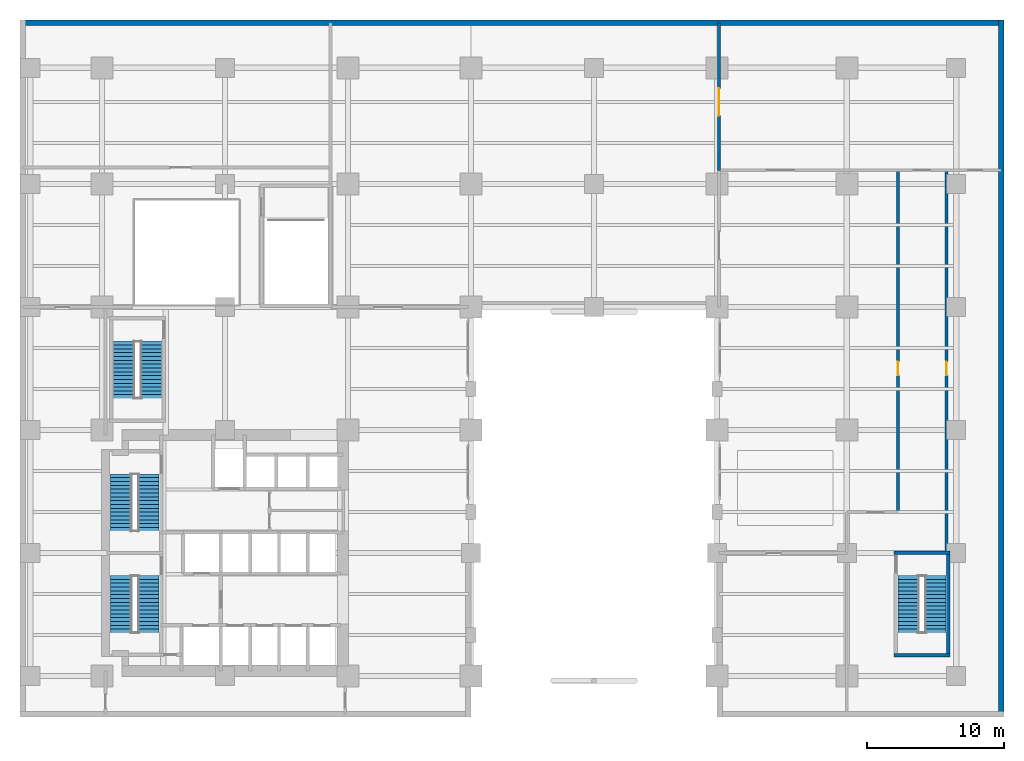
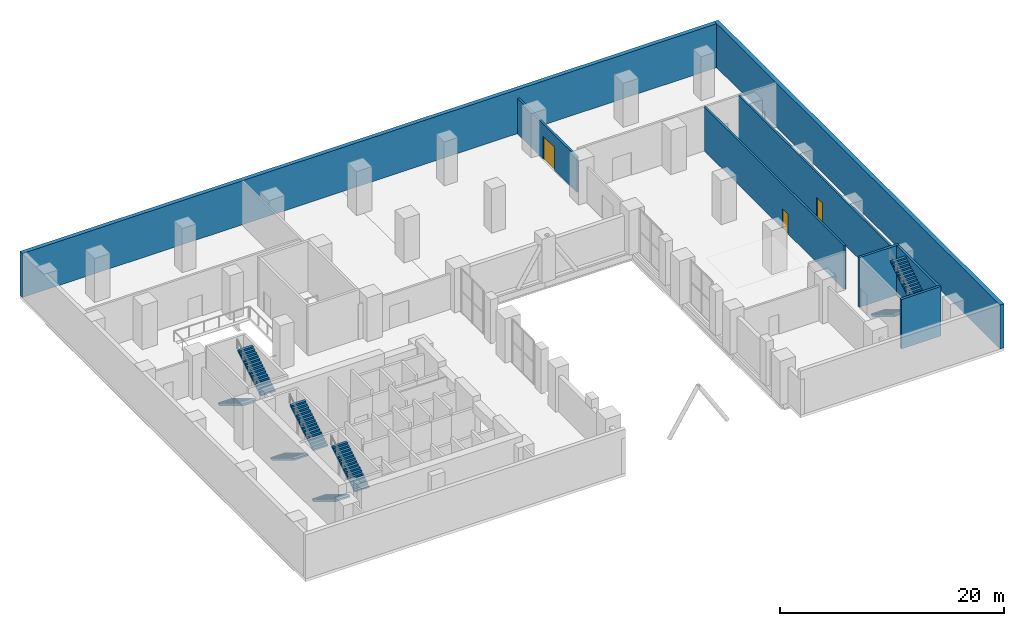
# One storey, part 11 of 13: 8 stair flights, 8 walls, 3 doors, 3 openings, 4 elements without a shape of their own.
"""IFC4 building model written with IfcOpenShell, lengths in metres."""

import ifcopenshell
import ifcopenshell.guid

model = None  # the IFC model being written
_history = None  # IfcOwnerHistory: only IFC2X3 demands one
_inside = {}  # id of a spatial element -> (the spatial element, [elements in it])
_under = {}  # id of a project, library or spatial element -> (it, [spatial elements below it])
_declared = {}  # id of a project -> (the project, [libraries it declares])
_typed = {}  # id of a type object -> (the type object, [elements of that type])
_made_of = {}  # id of a material, layer set ... -> (it, [elements and type objects made of it])


def new_model(schema):
    """Start an empty IFC model of exactly this schema.

    Asked for "IFC4X3", IfcOpenShell would pick the latest addendum, in which some entities
    have other attributes; the version numbers below select the first issue.
    IFC2X3 requires an IfcOwnerHistory on every rooted entity: one is made here for all.
    """
    global model, _history
    if schema == "IFC4X3":
        model = ifcopenshell.file(schema_version=(4, 3, 0, 0))
    else:
        model = ifcopenshell.file(schema=schema)
    _inside.clear()
    _under.clear()
    _declared.clear()
    _typed.clear()
    _made_of.clear()
    _history = None
    if model.schema == "IFC2X3":
        org = make("IfcOrganization", Name="unknown")
        user = make(
            "IfcPersonAndOrganization",
            ThePerson=make("IfcPerson", FamilyName="unknown"),
            TheOrganization=org,
        )
        app = make(
            "IfcApplication",
            ApplicationDeveloper=org,
            Version="unknown",
            ApplicationFullName="unknown",
            ApplicationIdentifier="unknown",
        )
        _history = make(
            "IfcOwnerHistory",
            OwningUser=user,
            OwningApplication=app,
            ChangeAction="ADDED",
            CreationDate=0,
        )
    return model


def make(cls, **values):
    """One entity of the class cls with the attributes given. An attribute that is None is left unset."""
    return model.create_entity(
        cls, **{name: value for name, value in values.items() if value is not None}
    )


def rooted(cls, **values):
    """An entity with a GlobalId (a new one), such as an element, a storey or a relation."""
    return make(cls, GlobalId=ifcopenshell.guid.new(), OwnerHistory=_history, **values)


def si_unit(unit_type, name, prefix=None):
    """IfcSIUnit, for example si_unit("LENGTHUNIT", "METRE", prefix="MILLI")."""
    return make("IfcSIUnit", UnitType=unit_type, Prefix=prefix, Name=name)


def assignment(units):
    """IfcUnitAssignment: the units of a project."""
    return None if units is None else make("IfcUnitAssignment", Units=units)


def point(xyz):
    """IfcCartesianPoint."""
    return None if xyz is None else make("IfcCartesianPoint", Coordinates=xyz)


def direction(xyz):
    """IfcDirection."""
    return None if xyz is None else make("IfcDirection", DirectionRatios=xyz)


def frame(location, z_axis=None, x_axis=None):
    """IfcAxis2Placement3D, a coordinate frame: its origin and axes. An axis left out is left unset."""
    return make(
        "IfcAxis2Placement3D",
        Location=point(location),
        Axis=direction(z_axis),
        RefDirection=direction(x_axis),
    )


def frame_2d(location, x_axis=None):
    """IfcAxis2Placement2D, a coordinate frame in the plane: its origin and x axis."""
    return make(
        "IfcAxis2Placement2D", Location=point(location), RefDirection=direction(x_axis)
    )


def origin():
    """The frame at (0, 0, 0) with its axes left unset."""
    return frame((0.0, 0.0, 0.0))


def place(relative_to, where):
    """IfcLocalPlacement: puts the frame where relative to a parent placement (None: the world)."""
    return make(
        "IfcLocalPlacement", PlacementRelTo=relative_to, RelativePlacement=where
    )


def context(
    kind, dimensions, precision=None, world=None, true_north=None, identifier=None
):
    """IfcGeometricRepresentationContext, for example the 3D "Model" context."""
    return make(
        "IfcGeometricRepresentationContext",
        ContextIdentifier=identifier,
        ContextType=kind,
        CoordinateSpaceDimension=dimensions,
        Precision=precision,
        WorldCoordinateSystem=world,
        TrueNorth=true_north,
    )


def subcontext(parent, identifier, kind, view, scale=None):
    """IfcGeometricRepresentationSubContext, for example "Body" below "Model"."""
    return make(
        "IfcGeometricRepresentationSubContext",
        ContextIdentifier=identifier,
        ContextType=kind,
        ParentContext=parent,
        TargetScale=scale,
        TargetView=view,
    )


def project(units=None, contexts=None):
    """IfcProject with its units and contexts."""
    return rooted(
        "IfcProject",
        Name="project",
        RepresentationContexts=contexts,
        UnitsInContext=assignment(units),
    )


def spatial(cls, under=None, at=None, **own):
    """A site, building, storey or space (cls), placed at a placement, below another one or the project."""
    s = rooted(cls, ObjectPlacement=at, **own)
    if under is not None:
        _under.setdefault(under.id(), (under, []))[1].append(s)
    return s


def polyline(points):
    """IfcPolyline through the points."""
    return make("IfcPolyline", Points=[point(p) for p in points])


def profile(cls, at=None, kind="AREA", **sizes):
    """A parametric profile (cls). Its sizes go by their IFC names, for example OverallWidth=200.0."""
    return make(cls, ProfileType=kind, Position=at, **sizes)


def rectangle(**sizes):
    """IfcRectangleProfileDef."""
    return profile("IfcRectangleProfileDef", **sizes)


def outline(outer, holes=None, kind="AREA"):
    """IfcArbitraryClosedProfileDef: a profile drawn as a closed curve; with holes, ...WithVoids."""
    if holes is None:
        return make("IfcArbitraryClosedProfileDef", ProfileType=kind, OuterCurve=outer)
    return make(
        "IfcArbitraryProfileDefWithVoids",
        ProfileType=kind,
        OuterCurve=outer,
        InnerCurves=holes,
    )


def extrude(swept, where, along, depth):
    """IfcExtrudedAreaSolid: the profile swept, set in the frame where, extruded along a direction by depth."""
    return make(
        "IfcExtrudedAreaSolid",
        SweptArea=swept,
        Position=where,
        ExtrudedDirection=direction(along),
        Depth=depth,
    )


def shape(context_of_items, identifier, shape_type, items):
    """IfcShapeRepresentation: the items that make up one representation, for example the "Body"."""
    return make(
        "IfcShapeRepresentation",
        ContextOfItems=context_of_items,
        RepresentationIdentifier=identifier,
        RepresentationType=shape_type,
        Items=items,
    )


def material(Name=None, Category=None):
    """IfcMaterial."""
    return make("IfcMaterial", Name=Name, Category=Category)


def layer(
    of_material, thickness, ventilated=None, Name=None, Category=None, Priority=None
):
    """IfcMaterialLayer: one layer of a wall or slab, of a material (None: an air gap)."""
    return make(
        "IfcMaterialLayer",
        Material=of_material,
        LayerThickness=thickness,
        IsVentilated=ventilated,
        Name=Name,
        Category=Category,
        Priority=Priority,
    )


def layer_set(layers, Name=None):
    """IfcMaterialLayerSet."""
    return make("IfcMaterialLayerSet", MaterialLayers=layers, LayerSetName=Name)


def made_of(thing, what):
    """Note that an element or type object is made of a material, layer set ...; save() writes the relation."""
    if what is not None:
        _made_of.setdefault(what.id(), (what, []))[1].append(thing)
    return thing


def type_object(cls, material=None, **own):
    """A type object (cls), such as IfcWallType, which elements share."""
    return made_of(rooted(cls, **own), material)


def element(
    cls,
    number,
    at=None,
    inside=None,
    cuts=None,
    type_object=None,
    material=None,
    context=None,
    identifier="Body",
    shape_type=None,
    held_by="IfcProductDefinitionShape",
    body=None,
    shapes=None,
    **own,
):
    """One element of the class cls, such as IfcWall. Its Tag is "e" and its number.

    at: its placement. inside: the storey or other place that contains it. cuts: it is an
    opening in that element (IfcRelVoidsElement). A single representation is given by context,
    identifier, shape_type and body (its items); several are given by shapes. held_by: the class
    of the entity that holds the representations. save() writes the other relations.
    """
    e = rooted(cls, Tag="e%d" % number, ObjectPlacement=at, **own)
    if body is not None:
        shapes = [shape(context, identifier, shape_type, body)]
    if shapes is not None:
        e.Representation = make(held_by, Representations=shapes)
    if inside is not None:
        _inside.setdefault(inside.id(), (inside, []))[1].append(e)
    if cuts is not None:
        rooted(
            "IfcRelVoidsElement", RelatingBuildingElement=cuts, RelatedOpeningElement=e
        )
    if type_object is not None:
        _typed.setdefault(type_object.id(), (type_object, []))[1].append(e)
    return made_of(e, material)


def fill(opening, filler):
    """IfcRelFillsElement: the door or window that sits in an opening."""
    return rooted(
        "IfcRelFillsElement",
        RelatingOpeningElement=opening,
        RelatedBuildingElement=filler,
    )


def aggregate(whole, parts):
    """IfcRelAggregates: a whole, such as a stair, and the parts it consists of."""
    return rooted("IfcRelAggregates", RelatingObject=whole, RelatedObjects=parts)


def save(model, path):
    """Write the relations noted so far, then the file.

    IfcRelAggregates (storeys below a building ...), IfcRelContainedInSpatialStructure (elements
    in a storey), IfcRelDefinesByType, IfcRelAssociatesMaterial and IfcRelDeclares: one each for
    every whole, place, type object, material and project.
    """
    for whole, parts in _under.values():
        aggregate(whole, parts)
    for where, things in _inside.values():
        rooted(
            "IfcRelContainedInSpatialStructure",
            RelatedElements=things,
            RelatingStructure=where,
        )
    for kind, things in _typed.values():
        rooted("IfcRelDefinesByType", RelatedObjects=things, RelatingType=kind)
    for what, things in _made_of.values():
        rooted("IfcRelAssociatesMaterial", RelatedObjects=things, RelatingMaterial=what)
    for by, libraries in _declared.values():
        rooted("IfcRelDeclares", RelatingContext=by, RelatedDefinitions=libraries)
    model.write(path)


model = new_model("IFC4")

# Units and contexts
model_context = context("Model", 3, precision=1e-05, world=origin(), true_north=direction((0.0, 1.0)))
body_context = subcontext(model_context, "Body", "Model", "MODEL_VIEW")
ifc_project = project(units=[si_unit("LENGTHUNIT", "METRE"), si_unit("AREAUNIT", "SQUARE_METRE"), si_unit("VOLUMEUNIT", "CUBIC_METRE"), si_unit("PLANEANGLEUNIT", "RADIAN"), si_unit("MASSUNIT", "GRAM", prefix="KILO")], contexts=[model_context])

# Site, building, storey
site_placement = place(None, origin())
site = spatial("IfcSite", under=ifc_project, at=site_placement, CompositionType="ELEMENT")
building_placement = place(site_placement, origin())
building = spatial("IfcBuilding", under=site, at=building_placement, Name="Mawjdan Bourse Tower", CompositionType="ELEMENT")
storey_placement = place(building_placement, frame((0.0, 0.0, 10.800048828125)))
storey = spatial("IfcBuildingStorey", under=building, at=storey_placement, Name="L02", CompositionType="ELEMENT", Elevation=10.800048828125)

# Walls
ifc_material_1 = material(Name="Brick Masonry Buff", Category="masonry")
ifc_layer_1 = layer(ifc_material_1, 0.419921875)
ifc_layer_set_1 = layer_set([ifc_layer_1], Name="Brick Masonry Buff")
wall_type_1 = type_object("IfcWallType", Name="WL-BRK-BUFF-420", PredefinedType="STANDARD", material=ifc_layer_set_1)
wall_1_placement = place(storey_placement, frame((71.7900390625, 0.0, 0.0), z_axis=(0.0, 0.0, 1.0), x_axis=(0.0, 1.0, 0.0)))
element("IfcWall", 1, at=wall_1_placement, inside=storey, type_object=wall_type_1, Name="L02 Podium Brick Wall EAST", PredefinedType="STANDARD", context=body_context, shape_type="SweptSolid", body=[
    extrude(rectangle(XDim=51.0, YDim=0.419921875, at=frame_2d((25.5, 0.0))), origin(), (0.0, 0.0, 1.0), 4.800048828125),
])
wall_2_placement = place(storey_placement, frame((72.0, 50.7900390625, 0.0), z_axis=(0.0, 0.0, 1.0), x_axis=(-1.0, 0.0, 0.0)))
element("IfcWall", 2, at=wall_2_placement, inside=storey, type_object=wall_type_1, Name="L02 Podium Brick Wall NE-1", PredefinedType="STANDARD", context=body_context, shape_type="SweptSolid", body=[
    extrude(rectangle(XDim=72.0, YDim=0.419921875, at=frame_2d((36.0, 0.0))), origin(), (0.0, 0.0, 1.0), 4.800048828125),
])

# Wall, opening, door
ifc_material_2 = material(Name="Gypsum Fireboard Assembly")
ifc_layer_2 = layer(ifc_material_2, 0.199951171875)
ifc_layer_set_2 = layer_set([ifc_layer_2], Name="Gypsum Fireboard Assembly")
wall_type_2 = type_object("IfcWallType", Name="WL-CMP-200", PredefinedType="PARTITIONING", material=ifc_layer_set_2)
wall_3_placement = place(storey_placement, frame((51.14990234375, 40.0, 0.0), z_axis=(0.0, 0.0, 1.0), x_axis=(0.0, 1.0, 0.0)))
wall_3 = element("IfcWall", 3, at=wall_3_placement, inside=storey, type_object=wall_type_2, Name="L02 L02 East Bridge Portal Wall", PredefinedType="PARTITIONING", context=body_context, shape_type="SweptSolid", body=[
    extrude(rectangle(XDim=10.7900390625, YDim=0.199951171875, at=frame_2d((5.39501953125, 0.0))), origin(), (0.0, 0.0, 1.0), 3.849853515625),
])
opening_1_placement = place(wall_3_placement, frame((4.0, 0.0, 0.0)))
opening_1 = element("IfcOpeningElement", 4, at=opening_1_placement, cuts=wall_3, Name="Opening D-L02-25", PredefinedType="OPENING", context=body_context, shape_type="SweptSolid", body=[
    extrude(rectangle(XDim=2.0, YDim=2.5, at=frame_2d((1.0, 1.25))), frame((0.0, 0.10986328125, 0.0), z_axis=(0.0, -1.0, 0.0), x_axis=(1.0, 0.0, 0.0)), (0.0, 0.0, 1.0), 0.219970703125),
])
ifc_material_3 = material(Name="Acoustic Veneered Timber", Category="wood")
door_type_1 = type_object("IfcDoorType", Name="DR-ASM-2000", OperationType="DOUBLE_DOOR_SINGLE_SWING", PredefinedType="DOOR", material=ifc_material_3)
door_1_placement = place(opening_1_placement, origin())
door_1 = element("IfcDoor", 5, at=door_1_placement, inside=storey, type_object=door_type_1, Name="L02 East Gallery Bridge Door D-L02-25", OperationType="DOUBLE_DOOR_SINGLE_SWING", OverallHeight=2.5, OverallWidth=2.0, PredefinedType="DOOR", context=body_context, shape_type="SweptSolid", body=[
    extrude(rectangle(XDim=2.0, YDim=2.5, at=frame_2d((1.0, 1.25))), frame((0.0, 0.02490234375, 0.0), z_axis=(0.0, -1.0, 0.0), x_axis=(1.0, 0.0, 0.0)), (0.0, 0.0, 1.0), 0.050048828125),
])
fill(opening_1, door_1)

wall_4_placement = place(storey_placement, frame((64.25, 15.0, 0.0), z_axis=(0.0, 0.0, 1.0), x_axis=(0.0, 1.0, 0.0)))
wall_4 = element("IfcWall", 6, at=wall_4_placement, inside=storey, type_object=wall_type_2, Name="L02 ST6 Corridor West Wall", PredefinedType="PARTITIONING", context=body_context, shape_type="SweptSolid", body=[
    extrude(rectangle(XDim=25.0, YDim=0.199951171875, at=frame_2d((12.5, 0.0))), origin(), (0.0, 0.0, 1.0), 4.7900390625),
])
opening_2_placement = place(wall_4_placement, frame((10.0, 0.0, 0.0)))
opening_2 = element("IfcOpeningElement", 7, at=opening_2_placement, cuts=wall_4, Name="Opening D-L02-30", PredefinedType="OPENING", context=body_context, shape_type="SweptSolid", body=[
    extrude(rectangle(XDim=1.0, YDim=2.14990234375, at=frame_2d((0.5, 1.074951171875))), frame((0.0, 0.10986328125, 0.0), z_axis=(0.0, -1.0, 0.0), x_axis=(1.0, 0.0, 0.0)), (0.0, 0.0, 1.0), 0.219970703125),
])
ifc_material_4 = material(Name="Hardwood Acoustic Leaf", Category="wood")
door_type_2 = type_object("IfcDoorType", Name="DR-OFC-1000", OperationType="NOTDEFINED", PredefinedType="DOOR", material=ifc_material_4)
door_2_placement = place(opening_2_placement, origin())
door_2 = element("IfcDoor", 8, at=door_2_placement, inside=storey, type_object=door_type_2, Name="L02 Seminar Hall East Corridor Door D-L02-30", OperationType="SINGLE_SWING_RIGHT", OverallHeight=2.14990234375, OverallWidth=1.0, PredefinedType="DOOR", context=body_context, shape_type="SweptSolid", body=[
    extrude(rectangle(XDim=1.0, YDim=2.14990234375, at=frame_2d((0.5, 1.074951171875))), frame((0.0, 0.02490234375, 0.0), z_axis=(0.0, -1.0, 0.0), x_axis=(1.0, 0.0, 0.0)), (0.0, 0.0, 1.0), 0.050048828125),
])
fill(opening_2, door_2)

wall_5_placement = place(storey_placement, frame((67.800048828125, 12.030029296875, 0.0), z_axis=(0.0, 0.0, 1.0), x_axis=(0.0, 1.0, 0.0)))
wall_5 = element("IfcWall", 9, at=wall_5_placement, inside=storey, type_object=wall_type_2, Name="L02 ST6 Corridor East Wall", PredefinedType="PARTITIONING", context=body_context, shape_type="SweptSolid", body=[
    extrude(rectangle(XDim=27.969970703125, YDim=0.199951171875, at=frame_2d((13.98486328125, 0.0))), origin(), (0.0, 0.0, 1.0), 4.7900390625),
])
opening_3_placement = place(wall_5_placement, frame((12.969970703125, 0.0, 0.0)))
opening_3 = element("IfcOpeningElement", 10, at=opening_3_placement, cuts=wall_5, Name="Opening D-L02-31", PredefinedType="OPENING", context=body_context, shape_type="SweptSolid", body=[
    extrude(rectangle(XDim=1.0, YDim=2.14990234375, at=frame_2d((0.5, 1.074951171875))), frame((0.0, 0.10986328125, 0.0), z_axis=(0.0, -1.0, 0.0), x_axis=(1.0, 0.0, 0.0)), (0.0, 0.0, 1.0), 0.219970703125),
])
door_3_placement = place(opening_3_placement, origin())
door_3 = element("IfcDoor", 11, at=door_3_placement, inside=storey, type_object=door_type_2, Name="L02 Strategy Suite Corridor Door D-L02-31", OperationType="SINGLE_SWING_LEFT", OverallHeight=2.14990234375, OverallWidth=1.0, PredefinedType="DOOR", context=body_context, shape_type="SweptSolid", body=[
    extrude(rectangle(XDim=1.0, YDim=2.14990234375, at=frame_2d((0.5, 1.074951171875))), frame((0.0, 0.02490234375, 0.0), z_axis=(0.0, -1.0, 0.0), x_axis=(1.0, 0.0, 0.0)), (0.0, 0.0, 1.0), 0.050048828125),
])
fill(opening_3, door_3)

# Walls
ifc_material_5 = material(Name="Concrete C50/60", Category="concrete")
ifc_layer_3 = layer(ifc_material_5, 0.25)
ifc_layer_set_3 = layer_set([ifc_layer_3], Name="Concrete C50/60")
wall_type_3 = type_object("IfcWallType", Name="WL-STRW-250", PredefinedType="SHEAR", material=ifc_layer_set_3)
for number, where, z_axis, x_axis, name in (
    (12, (63.955078125, 4.530029296875, 0.0), (0.0, 0.0, 1.0), (1.0, 0.0, 0.0), "L02 ST6 South Shaft Wall"),
    (13, (63.955078125, 12.030029296875, 0.0), (0.0, 0.0, 1.0), (1.0, 0.0, 0.0), "L02 ST6 North Shaft Wall"),
):
    element("IfcWall", number, at=place(storey_placement, frame(where, z_axis=z_axis, x_axis=x_axis)), inside=storey, type_object=wall_type_3, Name=name, PredefinedType="SHEAR", context=body_context, shape_type="SweptSolid", body=[
        extrude(rectangle(XDim=4.08984375, YDim=0.25, at=frame_2d((2.044921875, 0.0))), origin(), (0.0, 0.0, 1.0), 5.39990234375),
    ])
wall_6_placement = place(storey_placement, frame((67.919921875, 4.530029296875, 0.0), z_axis=(0.0, 0.0, 1.0), x_axis=(0.0, 1.0, 0.0)))
element("IfcWall", 14, at=wall_6_placement, inside=storey, type_object=wall_type_3, Name="L02 ST6 East Shaft Wall", PredefinedType="SHEAR", context=body_context, shape_type="SweptSolid", body=[
    extrude(rectangle(XDim=7.5, YDim=0.25, at=frame_2d((3.75, 0.0))), origin(), (0.0, 0.0, 1.0), 5.39990234375),
])

# Stair, stair flights
stair_type = type_object("IfcStairType", Name="STR-CORE-1500", PredefinedType="HALF_TURN_STAIR", material=ifc_material_5)
stair_1_placement = place(storey_placement, origin())
stair_1 = element("IfcStair", 15, at=stair_1_placement, inside=storey, type_object=stair_type, Name="L02 Exit Stair 1 (Core South-West)", PredefinedType="HALF_TURN_STAIR")
stair_flight_type = type_object("IfcStairFlightType", Name="SFL-RC-1500", PredefinedType="STRAIGHT", material=ifc_material_5)
stair_flight_1_placement = place(storey_placement, frame((7.389892578125, 10.35009765625, 0.0), z_axis=(0.0, 0.0, 1.0), x_axis=(0.0, -1.0, 0.0)))
stair_flight_1 = element("IfcStairFlight", 16, at=stair_flight_1_placement, type_object=stair_flight_type, Name="ST1-L02 flight 1", NumberOfRisers=16, NumberOfTreads=15, PredefinedType="STRAIGHT", RiserHeight=0.16875, TreadLength=0.28, context=body_context, shape_type="SweptSolid", body=[
    extrude(outline(polyline([(0.0, 0.0), (0.0, 0.168701171875), (0.280029296875, 0.168701171875), (0.280029296875, 0.33740234375), (0.56005859375, 0.33740234375), (0.56005859375, 0.50634765625), (0.840087890625, 0.50634765625), (0.840087890625, 0.675048828125), (1.1201171875, 0.675048828125), (1.1201171875, 0.84375), (1.39990234375, 0.84375), (1.39990234375, 1.012451171875), (1.679931640625, 1.012451171875), (1.679931640625, 1.18115234375), (1.9599609375, 1.18115234375), (1.9599609375, 1.35009765625), (2.239990234375, 1.35009765625), (2.239990234375, 1.518798828125), (2.52001953125, 1.518798828125), (2.52001953125, 1.6875), (2.800048828125, 1.6875), (2.800048828125, 1.856201171875), (3.080078125, 1.856201171875), (3.080078125, 2.02490234375), (3.360107421875, 2.02490234375), (3.360107421875, 2.19384765625), (3.639892578125, 2.19384765625), (3.639892578125, 2.362548828125), (3.919921875, 2.362548828125), (3.919921875, 2.53125), (4.199951171875, 2.53125), (4.199951171875, 2.699951171875), (4.199951171875, 2.344482421875), (0.309814453125, 0.0), (0.0, 0.0)])), frame((0.0, 0.75, 0.0), z_axis=(0.0, -1.0, 0.0), x_axis=(1.0, 0.0, 0.0)), (0.0, 0.0, 1.0), 1.5),
])
stair_flight_2_placement = place(storey_placement, frame((9.409912109375, 6.14990234375, 2.699951171875), z_axis=(0.0, 0.0, 1.0), x_axis=(0.0, 1.0, 0.0)))
stair_flight_2 = element("IfcStairFlight", 17, at=stair_flight_2_placement, type_object=stair_flight_type, Name="ST1-L02 flight 2", NumberOfRisers=16, NumberOfTreads=15, PredefinedType="STRAIGHT", RiserHeight=0.16875, TreadLength=0.28, context=body_context, shape_type="SweptSolid", body=[
    extrude(outline(polyline([(0.0, 0.0), (0.0, 0.168701171875), (0.280029296875, 0.168701171875), (0.280029296875, 0.33740234375), (0.56005859375, 0.33740234375), (0.56005859375, 0.50634765625), (0.840087890625, 0.50634765625), (0.840087890625, 0.675048828125), (1.1201171875, 0.675048828125), (1.1201171875, 0.84375), (1.39990234375, 0.84375), (1.39990234375, 1.012451171875), (1.679931640625, 1.012451171875), (1.679931640625, 1.18115234375), (1.9599609375, 1.18115234375), (1.9599609375, 1.35009765625), (2.239990234375, 1.35009765625), (2.239990234375, 1.518798828125), (2.52001953125, 1.518798828125), (2.52001953125, 1.6875), (2.800048828125, 1.6875), (2.800048828125, 1.856201171875), (3.080078125, 1.856201171875), (3.080078125, 2.02490234375), (3.360107421875, 2.02490234375), (3.360107421875, 2.19384765625), (3.639892578125, 2.19384765625), (3.639892578125, 2.362548828125), (3.919921875, 2.362548828125), (3.919921875, 2.53125), (4.199951171875, 2.53125), (4.199951171875, 2.699951171875), (4.199951171875, 2.344482421875), (0.309814453125, 0.0), (0.0, 0.0)])), frame((0.0, 0.75, 0.0), z_axis=(0.0, -1.0, 0.0), x_axis=(1.0, 0.0, 0.0)), (0.0, 0.0, 1.0), 1.5),
])
aggregate(stair_1, [stair_flight_1, stair_flight_2])

stair_2_placement = place(storey_placement, origin())
stair_2 = element("IfcStair", 18, at=stair_2_placement, inside=storey, type_object=stair_type, Name="L02 Exit Stair 2 (Core North-West)", PredefinedType="HALF_TURN_STAIR")
stair_flight_3_placement = place(storey_placement, frame((7.389892578125, 17.7900390625, 0.0), z_axis=(0.0, 0.0, 1.0), x_axis=(0.0, -1.0, 0.0)))
stair_flight_3 = element("IfcStairFlight", 19, at=stair_flight_3_placement, type_object=stair_flight_type, Name="ST2-L02 flight 1", NumberOfRisers=16, NumberOfTreads=15, PredefinedType="STRAIGHT", RiserHeight=0.16875, TreadLength=0.28, context=body_context, shape_type="SweptSolid", body=[
    extrude(outline(polyline([(0.0, 0.0), (0.0, 0.168701171875), (0.280029296875, 0.168701171875), (0.280029296875, 0.33740234375), (0.56005859375, 0.33740234375), (0.56005859375, 0.50634765625), (0.840087890625, 0.50634765625), (0.840087890625, 0.675048828125), (1.1201171875, 0.675048828125), (1.1201171875, 0.84375), (1.39990234375, 0.84375), (1.39990234375, 1.012451171875), (1.679931640625, 1.012451171875), (1.679931640625, 1.18115234375), (1.9599609375, 1.18115234375), (1.9599609375, 1.35009765625), (2.239990234375, 1.35009765625), (2.239990234375, 1.518798828125), (2.52001953125, 1.518798828125), (2.52001953125, 1.6875), (2.800048828125, 1.6875), (2.800048828125, 1.856201171875), (3.080078125, 1.856201171875), (3.080078125, 2.02490234375), (3.360107421875, 2.02490234375), (3.360107421875, 2.19384765625), (3.639892578125, 2.19384765625), (3.639892578125, 2.362548828125), (3.919921875, 2.362548828125), (3.919921875, 2.53125), (4.199951171875, 2.53125), (4.199951171875, 2.699951171875), (4.199951171875, 2.344482421875), (0.309814453125, 0.0), (0.0, 0.0)])), frame((0.0, 0.75, 0.0), z_axis=(0.0, -1.0, 0.0), x_axis=(1.0, 0.0, 0.0)), (0.0, 0.0, 1.0), 1.5),
])
stair_flight_4_placement = place(storey_placement, frame((9.409912109375, 13.590087890625, 2.699951171875), z_axis=(0.0, 0.0, 1.0), x_axis=(0.0, 1.0, 0.0)))
stair_flight_4 = element("IfcStairFlight", 20, at=stair_flight_4_placement, type_object=stair_flight_type, Name="ST2-L02 flight 2", NumberOfRisers=16, NumberOfTreads=15, PredefinedType="STRAIGHT", RiserHeight=0.16875, TreadLength=0.28, context=body_context, shape_type="SweptSolid", body=[
    extrude(outline(polyline([(0.0, 0.0), (0.0, 0.168701171875), (0.280029296875, 0.168701171875), (0.280029296875, 0.33740234375), (0.56005859375, 0.33740234375), (0.56005859375, 0.50634765625), (0.840087890625, 0.50634765625), (0.840087890625, 0.675048828125), (1.1201171875, 0.675048828125), (1.1201171875, 0.84375), (1.39990234375, 0.84375), (1.39990234375, 1.012451171875), (1.679931640625, 1.012451171875), (1.679931640625, 1.18115234375), (1.9599609375, 1.18115234375), (1.9599609375, 1.35009765625), (2.239990234375, 1.35009765625), (2.239990234375, 1.518798828125), (2.52001953125, 1.518798828125), (2.52001953125, 1.6875), (2.800048828125, 1.6875), (2.800048828125, 1.856201171875), (3.080078125, 1.856201171875), (3.080078125, 2.02490234375), (3.360107421875, 2.02490234375), (3.360107421875, 2.19384765625), (3.639892578125, 2.19384765625), (3.639892578125, 2.362548828125), (3.919921875, 2.362548828125), (3.919921875, 2.53125), (4.199951171875, 2.53125), (4.199951171875, 2.699951171875), (4.199951171875, 2.344482421875), (0.309814453125, 0.0), (0.0, 0.0)])), frame((0.0, 0.75, 0.0), z_axis=(0.0, -1.0, 0.0), x_axis=(1.0, 0.0, 0.0)), (0.0, 0.0, 1.0), 1.5),
])
aggregate(stair_2, [stair_flight_3, stair_flight_4])

stair_3_placement = place(storey_placement, origin())
stair_3 = element("IfcStair", 21, at=stair_3_placement, inside=storey, type_object=stair_type, Name="L02 Exit Stair 3 (North Wing)", PredefinedType="HALF_TURN_STAIR")
stair_flight_5_placement = place(storey_placement, frame((7.590087890625, 27.5, 0.0), z_axis=(0.0, 0.0, 1.0), x_axis=(0.0, -1.0, 0.0)))
stair_flight_5 = element("IfcStairFlight", 22, at=stair_flight_5_placement, type_object=stair_flight_type, Name="ST3-L02 flight 1", NumberOfRisers=16, NumberOfTreads=15, PredefinedType="STRAIGHT", RiserHeight=0.16875, TreadLength=0.28, context=body_context, shape_type="SweptSolid", body=[
    extrude(outline(polyline([(0.0, 0.0), (0.0, 0.168701171875), (0.280029296875, 0.168701171875), (0.280029296875, 0.33740234375), (0.56005859375, 0.33740234375), (0.56005859375, 0.50634765625), (0.840087890625, 0.50634765625), (0.840087890625, 0.675048828125), (1.1201171875, 0.675048828125), (1.1201171875, 0.84375), (1.39990234375, 0.84375), (1.39990234375, 1.012451171875), (1.679931640625, 1.012451171875), (1.679931640625, 1.18115234375), (1.9599609375, 1.18115234375), (1.9599609375, 1.35009765625), (2.239990234375, 1.35009765625), (2.239990234375, 1.518798828125), (2.52001953125, 1.518798828125), (2.52001953125, 1.6875), (2.800048828125, 1.6875), (2.800048828125, 1.856201171875), (3.080078125, 1.856201171875), (3.080078125, 2.02490234375), (3.360107421875, 2.02490234375), (3.360107421875, 2.19384765625), (3.639892578125, 2.19384765625), (3.639892578125, 2.362548828125), (3.919921875, 2.362548828125), (3.919921875, 2.53125), (4.199951171875, 2.53125), (4.199951171875, 2.699951171875), (4.199951171875, 2.344482421875), (0.309814453125, 0.0), (0.0, 0.0)])), frame((0.0, 0.75, 0.0), z_axis=(0.0, -1.0, 0.0), x_axis=(1.0, 0.0, 0.0)), (0.0, 0.0, 1.0), 1.5),
])
stair_flight_6_placement = place(storey_placement, frame((9.610107421875, 23.300048828125, 2.699951171875), z_axis=(0.0, 0.0, 1.0), x_axis=(0.0, 1.0, 0.0)))
stair_flight_6 = element("IfcStairFlight", 23, at=stair_flight_6_placement, type_object=stair_flight_type, Name="ST3-L02 flight 2", NumberOfRisers=16, NumberOfTreads=15, PredefinedType="STRAIGHT", RiserHeight=0.16875, TreadLength=0.28, context=body_context, shape_type="SweptSolid", body=[
    extrude(outline(polyline([(0.0, 0.0), (0.0, 0.168701171875), (0.280029296875, 0.168701171875), (0.280029296875, 0.33740234375), (0.56005859375, 0.33740234375), (0.56005859375, 0.50634765625), (0.840087890625, 0.50634765625), (0.840087890625, 0.675048828125), (1.1201171875, 0.675048828125), (1.1201171875, 0.84375), (1.39990234375, 0.84375), (1.39990234375, 1.012451171875), (1.679931640625, 1.012451171875), (1.679931640625, 1.18115234375), (1.9599609375, 1.18115234375), (1.9599609375, 1.35009765625), (2.239990234375, 1.35009765625), (2.239990234375, 1.518798828125), (2.52001953125, 1.518798828125), (2.52001953125, 1.6875), (2.800048828125, 1.6875), (2.800048828125, 1.856201171875), (3.080078125, 1.856201171875), (3.080078125, 2.02490234375), (3.360107421875, 2.02490234375), (3.360107421875, 2.19384765625), (3.639892578125, 2.19384765625), (3.639892578125, 2.362548828125), (3.919921875, 2.362548828125), (3.919921875, 2.53125), (4.199951171875, 2.53125), (4.199951171875, 2.699951171875), (4.199951171875, 2.344482421875), (0.309814453125, 0.0), (0.0, 0.0)])), frame((0.0, 0.75, 0.0), z_axis=(0.0, -1.0, 0.0), x_axis=(1.0, 0.0, 0.0)), (0.0, 0.0, 1.0), 1.5),
])
aggregate(stair_3, [stair_flight_5, stair_flight_6])

stair_4_placement = place(storey_placement, origin())
stair_4 = element("IfcStair", 24, at=stair_4_placement, inside=storey, type_object=stair_type, Name="L02 Exit Stair 6 (East Podium Pier)", PredefinedType="HALF_TURN_STAIR")
stair_flight_7_placement = place(storey_placement, frame((64.989990234375, 10.35009765625, 0.0), z_axis=(0.0, 0.0, 1.0), x_axis=(0.0, -1.0, 0.0)))
stair_flight_7 = element("IfcStairFlight", 25, at=stair_flight_7_placement, type_object=stair_flight_type, Name="ST6-L02 flight 1", NumberOfRisers=16, NumberOfTreads=15, PredefinedType="STRAIGHT", RiserHeight=0.16875, TreadLength=0.28, context=body_context, shape_type="SweptSolid", body=[
    extrude(outline(polyline([(0.0, 0.0), (0.0, 0.168701171875), (0.280029296875, 0.168701171875), (0.280029296875, 0.33740234375), (0.56005859375, 0.33740234375), (0.56005859375, 0.50634765625), (0.840087890625, 0.50634765625), (0.840087890625, 0.675048828125), (1.1201171875, 0.675048828125), (1.1201171875, 0.84375), (1.39990234375, 0.84375), (1.39990234375, 1.012451171875), (1.679931640625, 1.012451171875), (1.679931640625, 1.18115234375), (1.9599609375, 1.18115234375), (1.9599609375, 1.35009765625), (2.239990234375, 1.35009765625), (2.239990234375, 1.518798828125), (2.52001953125, 1.518798828125), (2.52001953125, 1.6875), (2.800048828125, 1.6875), (2.800048828125, 1.856201171875), (3.080078125, 1.856201171875), (3.080078125, 2.02490234375), (3.360107421875, 2.02490234375), (3.360107421875, 2.19384765625), (3.639892578125, 2.19384765625), (3.639892578125, 2.362548828125), (3.919921875, 2.362548828125), (3.919921875, 2.53125), (4.199951171875, 2.53125), (4.199951171875, 2.699951171875), (4.199951171875, 2.344482421875), (0.309814453125, 0.0), (0.0, 0.0)])), frame((0.0, 0.75, 0.0), z_axis=(0.0, -1.0, 0.0), x_axis=(1.0, 0.0, 0.0)), (0.0, 0.0, 1.0), 1.5),
])
stair_flight_8_placement = place(storey_placement, frame((67.010009765625, 6.14990234375, 2.699951171875), z_axis=(0.0, 0.0, 1.0), x_axis=(0.0, 1.0, 0.0)))
stair_flight_8 = element("IfcStairFlight", 26, at=stair_flight_8_placement, type_object=stair_flight_type, Name="ST6-L02 flight 2", NumberOfRisers=16, NumberOfTreads=15, PredefinedType="STRAIGHT", RiserHeight=0.16875, TreadLength=0.28, context=body_context, shape_type="SweptSolid", body=[
    extrude(outline(polyline([(0.0, 0.0), (0.0, 0.168701171875), (0.280029296875, 0.168701171875), (0.280029296875, 0.33740234375), (0.56005859375, 0.33740234375), (0.56005859375, 0.50634765625), (0.840087890625, 0.50634765625), (0.840087890625, 0.675048828125), (1.1201171875, 0.675048828125), (1.1201171875, 0.84375), (1.39990234375, 0.84375), (1.39990234375, 1.012451171875), (1.679931640625, 1.012451171875), (1.679931640625, 1.18115234375), (1.9599609375, 1.18115234375), (1.9599609375, 1.35009765625), (2.239990234375, 1.35009765625), (2.239990234375, 1.518798828125), (2.52001953125, 1.518798828125), (2.52001953125, 1.6875), (2.800048828125, 1.6875), (2.800048828125, 1.856201171875), (3.080078125, 1.856201171875), (3.080078125, 2.02490234375), (3.360107421875, 2.02490234375), (3.360107421875, 2.19384765625), (3.639892578125, 2.19384765625), (3.639892578125, 2.362548828125), (3.919921875, 2.362548828125), (3.919921875, 2.53125), (4.199951171875, 2.53125), (4.199951171875, 2.699951171875), (4.199951171875, 2.344482421875), (0.309814453125, 0.0), (0.0, 0.0)])), frame((0.0, 0.75, 0.0), z_axis=(0.0, -1.0, 0.0), x_axis=(1.0, 0.0, 0.0)), (0.0, 0.0, 1.0), 1.5),
])
aggregate(stair_4, [stair_flight_7, stair_flight_8])

save(model, "model.ifc")
